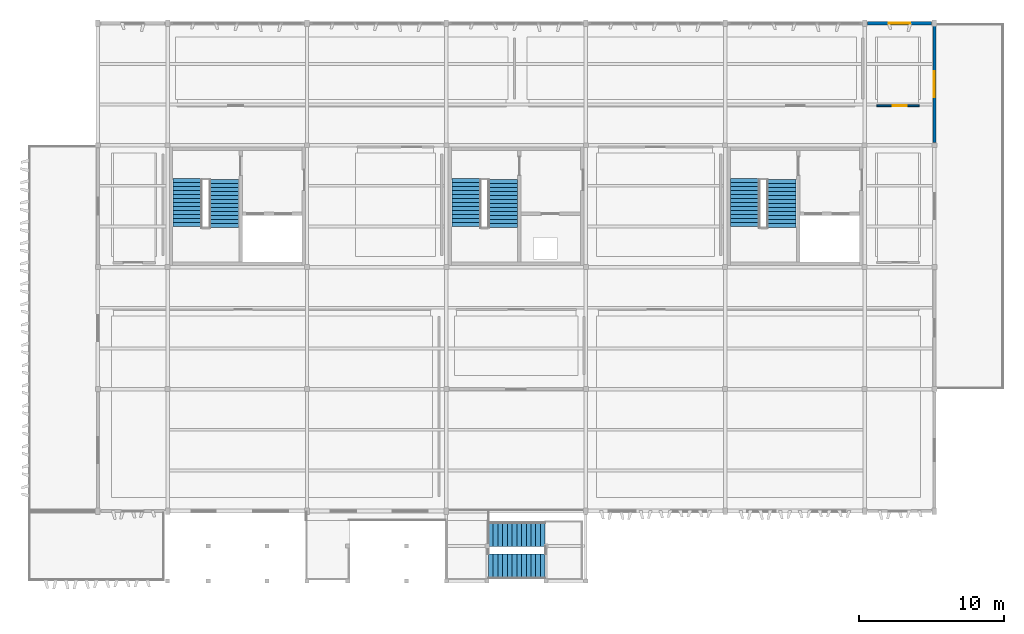
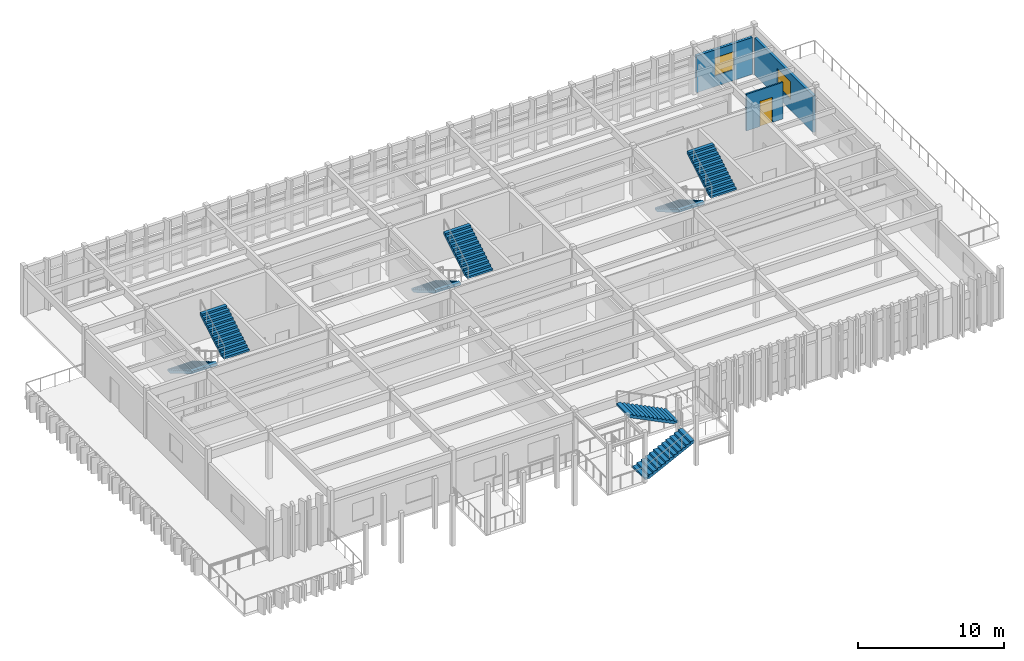
# One storey, part 10 of 14: 8 stair flights, 3 walls, 2 windows, 1 door, 3 openings, 4 elements without a shape of their own.
"""IFC4 building model written with IfcOpenShell, lengths in metres."""

from ifc_helpers import new_model, si_unit, direction, frame, frame_2d, origin, place, context, subcontext, project, spatial, polyline, rectangle, outline, extrude, material, layer, layer_set, type_object, element, fill, aggregate, save


model = new_model("IFC4")

# Units and contexts
model_context = context("Model", 3, precision=1e-05, world=origin(), true_north=direction((0.0, 1.0)))
body_context = subcontext(model_context, "Body", "Model", "MODEL_VIEW")
ifc_project = project(units=[si_unit("LENGTHUNIT", "METRE"), si_unit("AREAUNIT", "SQUARE_METRE"), si_unit("VOLUMEUNIT", "CUBIC_METRE"), si_unit("PLANEANGLEUNIT", "RADIAN"), si_unit("MASSUNIT", "GRAM", prefix="KILO")], contexts=[model_context])

# Site, building, storey
site_placement = place(None, origin())
site = spatial("IfcSite", under=ifc_project, at=site_placement, CompositionType="ELEMENT")
building_placement = place(site_placement, origin())
building = spatial("IfcBuilding", under=site, at=building_placement, Name="Kolvemor Railside Polytechnic", CompositionType="ELEMENT")
storey_placement = place(building_placement, frame((0.0, 0.0, 22.800048828125)))
storey = spatial("IfcBuildingStorey", under=building, at=storey_placement, Name="L05", CompositionType="ELEMENT", Elevation=22.800048828125)

# Wall, opening, window
ifc_material_1 = material(Name="Cross-laminated timber CLT E1", Category="wood")
ifc_layer_1 = layer(ifc_material_1, 0.2099609375, Name="WL-EXT-TM-210")
ifc_layer_set_1 = layer_set([ifc_layer_1], Name="Cross-laminated timber CLT E1")
wall_type_1 = type_object("IfcWallType", Name="WL-EXT-TM-210", PredefinedType="SOLIDWALL", material=ifc_layer_set_1)
wall_1_placement = place(storey_placement, frame((119.800048828125, 38.39990234375, 0.0), z_axis=(0.0, 0.0, 1.0), x_axis=(-1.0, 0.0, 0.0)))
wall_1 = element("IfcWall", 1, at=wall_1_placement, inside=storey, type_object=wall_type_1, Name="Exterior Wall L05-0160", PredefinedType="SOLIDWALL", context=body_context, shape_type="SweptSolid", body=[
    extrude(rectangle(XDim=4.400146484375, YDim=0.2099609375, at=frame_2d((2.2001953125, 0.0))), origin(), (0.0, 0.0, 1.0), 3.070068359375),
])
opening_1_placement = place(wall_1_placement, frame((1.449951171875, 0.0, 0.89990234375)))
opening_1 = element("IfcOpeningElement", 2, at=opening_1_placement, cuts=wall_1, Name="Opening WN-LAB4", PredefinedType="OPENING", context=body_context, shape_type="SweptSolid", body=[
    extrude(rectangle(XDim=1.5, YDim=1.5, at=frame_2d((0.75, 0.75))), frame((0.0, 0.114990234375, 0.0), z_axis=(0.0, -1.0, 0.0), x_axis=(1.0, 0.0, 0.0)), (0.0, 0.0, 1.0), 0.22998046875),
])
ifc_material_2 = material(Name="Hurricane-laminated thermally broken aluminium window", Category="aluminium")
window_type_1 = type_object("IfcWindowType", Name="WN-LAB-150x150", PartitioningType="SINGLE_PANEL", PredefinedType="WINDOW", material=ifc_material_2)
window_1_placement = place(opening_1_placement, origin())
window_1 = element("IfcWindow", 3, at=window_1_placement, inside=storey, type_object=window_type_1, Name="Window L05-0172", OverallHeight=1.5, OverallWidth=1.5, PartitioningType="SINGLE_PANEL", PredefinedType="WINDOW", context=body_context, shape_type="SweptSolid", body=[
    extrude(rectangle(XDim=1.5, YDim=1.5, at=frame_2d((0.75, 0.75))), frame((0.0, 0.030029296875, 0.0), z_axis=(0.0, -1.0, 0.0), x_axis=(1.0, 0.0, 0.0)), (0.0, 0.0, 1.0), 0.06005859375),
])
fill(opening_1, window_1)

wall_2_placement = place(storey_placement, frame((120.0, 30.199951171875, 0.0), z_axis=(0.0, 0.0, 1.0), x_axis=(0.0, 1.0, 0.0)))
wall_2 = element("IfcWall", 4, at=wall_2_placement, inside=storey, type_object=wall_type_1, Name="Exterior Wall L05-0181", PredefinedType="SOLIDWALL", context=body_context, shape_type="SweptSolid", body=[
    extrude(rectangle(XDim=8.0, YDim=0.2099609375, at=frame_2d((4.0, 0.0))), origin(), (0.0, 0.0, 1.0), 3.070068359375),
])
opening_2_placement = place(wall_2_placement, frame((3.10009765625, 0.0, 0.89990234375)))
opening_2 = element("IfcOpeningElement", 5, at=opening_2_placement, cuts=wall_2, Name="Opening WN-LAB", PredefinedType="OPENING", context=body_context, shape_type="SweptSolid", body=[
    extrude(rectangle(XDim=1.800048828125, YDim=1.5, at=frame_2d((0.89990234375, 0.75))), frame((0.0, 0.114990234375, 0.0), z_axis=(0.0, -1.0, 0.0), x_axis=(1.0, 0.0, 0.0)), (0.0, 0.0, 1.0), 0.22998046875),
])
ifc_material_3 = material(Name="Hurricane-laminated thermally broken aluminium window", Category="aluminium")
window_type_2 = type_object("IfcWindowType", Name="WN-LAB-180x150", PartitioningType="DOUBLE_PANEL_VERTICAL", PredefinedType="WINDOW", material=ifc_material_3)
window_2_placement = place(opening_2_placement, origin())
window_2 = element("IfcWindow", 6, at=window_2_placement, inside=storey, type_object=window_type_2, Name="Window L05-0182", OverallHeight=1.5, OverallWidth=1.800048828125, PartitioningType="SINGLE_PANEL", PredefinedType="WINDOW", context=body_context, shape_type="SweptSolid", body=[
    extrude(rectangle(XDim=1.800048828125, YDim=1.5, at=frame_2d((0.89990234375, 0.75))), frame((0.0, 0.030029296875, 0.0), z_axis=(0.0, -1.0, 0.0), x_axis=(1.0, 0.0, 0.0)), (0.0, 0.0, 1.0), 0.06005859375),
])
fill(opening_2, window_2)

# Wall, opening, door
ifc_material_4 = material(Name="Departmental partition")
ifc_layer_2 = layer(ifc_material_4, 0.1298828125, Name="WL-PART-130")
ifc_layer_set_2 = layer_set([ifc_layer_2], Name="Departmental partition")
wall_type_2 = type_object("IfcWallType", Name="WL-PART-130", PredefinedType="PARTITIONING", material=ifc_layer_set_2)
wall_3_placement = place(storey_placement, frame((116.050048828125, 32.719970703125, 0.0), z_axis=(0.0, 0.0, 1.0), x_axis=(1.0, 0.0, 0.0)))
wall_3 = element("IfcWall", 7, at=wall_3_placement, inside=storey, type_object=wall_type_2, Name="Partition Wall L05-0220", PredefinedType="PARTITIONING", context=body_context, shape_type="SweptSolid", body=[
    extrude(rectangle(XDim=2.89990234375, YDim=0.1298828125, at=frame_2d((1.449951171875, 0.0))), origin(), (0.0, 0.0, 1.0), 3.050048828125),
])
opening_3_placement = place(wall_3_placement, frame((1.072021484375, 0.0, 0.0)))
opening_3 = element("IfcOpeningElement", 8, at=opening_3_placement, cuts=wall_3, Name="Opening D-05125", PredefinedType="OPENING", context=body_context, shape_type="SweptSolid", body=[
    extrude(rectangle(XDim=0.97998046875, YDim=2.10009765625, at=frame_2d((0.489990234375, 1.050048828125))), frame((0.0, 0.074951171875, 0.0), z_axis=(0.0, -1.0, 0.0), x_axis=(1.0, 0.0, 0.0)), (0.0, 0.0, 1.0), 0.14990234375),
])
ifc_material_5 = material(Name="Solid hardwood acoustic door", Category="wood")
door_type = type_object("IfcDoorType", Name="DR-ADM-098x210", OperationType="NOTDEFINED", PredefinedType="DOOR", material=ifc_material_5)
door_placement = place(opening_3_placement, origin())
door = element("IfcDoor", 9, at=door_placement, inside=storey, type_object=door_type, Name="Room Door D-05125 (Graduate Research Fellows Write-Up Room)", OperationType="SINGLE_SWING_RIGHT", OverallHeight=2.10009765625, OverallWidth=0.97998046875, PredefinedType="DOOR", context=body_context, shape_type="SweptSolid", body=[
    extrude(rectangle(XDim=0.97998046875, YDim=2.10009765625, at=frame_2d((0.489990234375, 1.050048828125))), frame((0.0, 0.02490234375, 0.0), z_axis=(0.0, -1.0, 0.0), x_axis=(1.0, 0.0, 0.0)), (0.0, 0.0, 1.0), 0.050048828125),
])
fill(opening_3, door)

# Stair, stair flights
ifc_material_6 = material(Name="Concrete C40/50", Category="concrete")
stair_type_1 = type_object("IfcStairType", Name="STR-CORE-420", PredefinedType="HALF_TURN_STAIR", material=ifc_material_6)
stair_1_placement = place(storey_placement, origin())
stair_1 = element("IfcStair", 10, at=stair_1_placement, inside=storey, type_object=stair_type_1, Name="Core Stair ST-1 (L05 to L06)", PredefinedType="HALF_TURN_STAIR")
ifc_material_7 = material(Name="Concrete C40/50", Category="concrete")
stair_flight_type_1 = type_object("IfcStairFlightType", Name="SFL-RC-200", PredefinedType="STRAIGHT", material=ifc_material_7)
stair_flight_1_placement = place(storey_placement, frame((68.580078125, 27.699951171875, 0.0), z_axis=(0.0, 0.0, 1.0), x_axis=(0.0, -1.0, 0.0)))
stair_flight_1 = element("IfcStairFlight", 11, at=stair_flight_1_placement, type_object=stair_flight_type_1, Name="ST-1-L05 flight 1", NumberOfRisers=13, NumberOfTreads=12, PredefinedType="STRAIGHT", RiserHeight=0.161538462, TreadLength=0.275, context=body_context, shape_type="SweptSolid", body=[
    extrude(outline(polyline([(0.0, 0.0), (0.0, 0.16162109375), (0.27490234375, 0.16162109375), (0.27490234375, 0.322998046875), (0.550048828125, 0.322998046875), (0.550048828125, 0.484619140625), (0.824951171875, 0.484619140625), (0.824951171875, 0.646240234375), (1.10009765625, 0.646240234375), (1.10009765625, 0.8076171875), (1.375, 0.8076171875), (1.375, 0.96923828125), (1.64990234375, 0.96923828125), (1.64990234375, 1.130859375), (1.925048828125, 1.130859375), (1.925048828125, 1.292236328125), (2.199951171875, 1.292236328125), (2.199951171875, 1.453857421875), (2.47509765625, 1.453857421875), (2.47509765625, 1.615478515625), (2.75, 1.615478515625), (2.75, 1.77685546875), (3.02490234375, 1.77685546875), (3.02490234375, 1.9384765625), (3.300048828125, 1.9384765625), (3.300048828125, 2.10009765625), (3.300048828125, 1.729736328125), (0.355224609375, 0.0), (0.0, 0.0)])), frame((0.0, 1.0, 0.0), z_axis=(0.0, -1.0, 0.0), x_axis=(1.0, 0.0, 0.0)), (0.0, 0.0, 1.0), 2.0),
])
stair_flight_2_placement = place(storey_placement, frame((71.080078125, 24.340087890625, 2.099853515625), z_axis=(0.0, 0.0, 1.0), x_axis=(0.0, 1.0, 0.0)))
stair_flight_2 = element("IfcStairFlight", 12, at=stair_flight_2_placement, type_object=stair_flight_type_1, Name="ST-1-L05 flight 2", NumberOfRisers=13, NumberOfTreads=12, PredefinedType="STRAIGHT", RiserHeight=0.161538462, TreadLength=0.275, context=body_context, shape_type="SweptSolid", body=[
    extrude(outline(polyline([(0.0, 0.0), (0.0, 0.16162109375), (0.27490234375, 0.16162109375), (0.27490234375, 0.322998046875), (0.550048828125, 0.322998046875), (0.550048828125, 0.484619140625), (0.824951171875, 0.484619140625), (0.824951171875, 0.646240234375), (1.10009765625, 0.646240234375), (1.10009765625, 0.8076171875), (1.375, 0.8076171875), (1.375, 0.96923828125), (1.64990234375, 0.96923828125), (1.64990234375, 1.130859375), (1.925048828125, 1.130859375), (1.925048828125, 1.292236328125), (2.199951171875, 1.292236328125), (2.199951171875, 1.453857421875), (2.47509765625, 1.453857421875), (2.47509765625, 1.615478515625), (2.75, 1.615478515625), (2.75, 1.77685546875), (3.02490234375, 1.77685546875), (3.02490234375, 1.9384765625), (3.300048828125, 1.9384765625), (3.300048828125, 2.10009765625), (3.300048828125, 1.729736328125), (0.355224609375, 0.0), (0.0, 0.0)])), frame((0.0, 1.0, 0.0), z_axis=(0.0, -1.0, 0.0), x_axis=(1.0, 0.0, 0.0)), (0.0, 0.0, 1.0), 2.0),
])
aggregate(stair_1, [stair_flight_1, stair_flight_2])

stair_2_placement = place(storey_placement, origin())
stair_2 = element("IfcStair", 13, at=stair_2_placement, inside=storey, type_object=stair_type_1, Name="Core Stair ST-2 (L05 to L06)", PredefinedType="HALF_TURN_STAIR")
stair_flight_3_placement = place(storey_placement, frame((106.97998046875, 27.699951171875, 0.0), z_axis=(0.0, 0.0, 1.0), x_axis=(0.0, -1.0, 0.0)))
stair_flight_3 = element("IfcStairFlight", 14, at=stair_flight_3_placement, type_object=stair_flight_type_1, Name="ST-2-L05 flight 1", NumberOfRisers=13, NumberOfTreads=12, PredefinedType="STRAIGHT", RiserHeight=0.161538462, TreadLength=0.275, context=body_context, shape_type="SweptSolid", body=[
    extrude(outline(polyline([(0.0, 0.0), (0.0, 0.16162109375), (0.27490234375, 0.16162109375), (0.27490234375, 0.322998046875), (0.550048828125, 0.322998046875), (0.550048828125, 0.484619140625), (0.824951171875, 0.484619140625), (0.824951171875, 0.646240234375), (1.10009765625, 0.646240234375), (1.10009765625, 0.8076171875), (1.375, 0.8076171875), (1.375, 0.96923828125), (1.64990234375, 0.96923828125), (1.64990234375, 1.130859375), (1.925048828125, 1.130859375), (1.925048828125, 1.292236328125), (2.199951171875, 1.292236328125), (2.199951171875, 1.453857421875), (2.47509765625, 1.453857421875), (2.47509765625, 1.615478515625), (2.75, 1.615478515625), (2.75, 1.77685546875), (3.02490234375, 1.77685546875), (3.02490234375, 1.9384765625), (3.300048828125, 1.9384765625), (3.300048828125, 2.10009765625), (3.300048828125, 1.729736328125), (0.355224609375, 0.0), (0.0, 0.0)])), frame((0.0, 1.0, 0.0), z_axis=(0.0, -1.0, 0.0), x_axis=(1.0, 0.0, 0.0)), (0.0, 0.0, 1.0), 2.0),
])
stair_flight_4_placement = place(storey_placement, frame((109.47998046875, 24.340087890625, 2.099853515625), z_axis=(0.0, 0.0, 1.0), x_axis=(0.0, 1.0, 0.0)))
stair_flight_4 = element("IfcStairFlight", 15, at=stair_flight_4_placement, type_object=stair_flight_type_1, Name="ST-2-L05 flight 2", NumberOfRisers=13, NumberOfTreads=12, PredefinedType="STRAIGHT", RiserHeight=0.161538462, TreadLength=0.275, context=body_context, shape_type="SweptSolid", body=[
    extrude(outline(polyline([(0.0, 0.0), (0.0, 0.16162109375), (0.27490234375, 0.16162109375), (0.27490234375, 0.322998046875), (0.550048828125, 0.322998046875), (0.550048828125, 0.484619140625), (0.824951171875, 0.484619140625), (0.824951171875, 0.646240234375), (1.10009765625, 0.646240234375), (1.10009765625, 0.8076171875), (1.375, 0.8076171875), (1.375, 0.96923828125), (1.64990234375, 0.96923828125), (1.64990234375, 1.130859375), (1.925048828125, 1.130859375), (1.925048828125, 1.292236328125), (2.199951171875, 1.292236328125), (2.199951171875, 1.453857421875), (2.47509765625, 1.453857421875), (2.47509765625, 1.615478515625), (2.75, 1.615478515625), (2.75, 1.77685546875), (3.02490234375, 1.77685546875), (3.02490234375, 1.9384765625), (3.300048828125, 1.9384765625), (3.300048828125, 2.10009765625), (3.300048828125, 1.729736328125), (0.355224609375, 0.0), (0.0, 0.0)])), frame((0.0, 1.0, 0.0), z_axis=(0.0, -1.0, 0.0), x_axis=(1.0, 0.0, 0.0)), (0.0, 0.0, 1.0), 2.0),
])
aggregate(stair_2, [stair_flight_3, stair_flight_4])

stair_3_placement = place(storey_placement, origin())
stair_3 = element("IfcStair", 16, at=stair_3_placement, inside=storey, type_object=stair_type_1, Name="Core Stair ST-3 (L05 to L06)", PredefinedType="HALF_TURN_STAIR")
stair_flight_5_placement = place(storey_placement, frame((87.780029296875, 27.699951171875, 0.0), z_axis=(0.0, 0.0, 1.0), x_axis=(0.0, -1.0, 0.0)))
stair_flight_5 = element("IfcStairFlight", 17, at=stair_flight_5_placement, type_object=stair_flight_type_1, Name="ST-3-L05 flight 1", NumberOfRisers=13, NumberOfTreads=12, PredefinedType="STRAIGHT", RiserHeight=0.161538462, TreadLength=0.275, context=body_context, shape_type="SweptSolid", body=[
    extrude(outline(polyline([(0.0, 0.0), (0.0, 0.16162109375), (0.27490234375, 0.16162109375), (0.27490234375, 0.322998046875), (0.550048828125, 0.322998046875), (0.550048828125, 0.484619140625), (0.824951171875, 0.484619140625), (0.824951171875, 0.646240234375), (1.10009765625, 0.646240234375), (1.10009765625, 0.8076171875), (1.375, 0.8076171875), (1.375, 0.96923828125), (1.64990234375, 0.96923828125), (1.64990234375, 1.130859375), (1.925048828125, 1.130859375), (1.925048828125, 1.292236328125), (2.199951171875, 1.292236328125), (2.199951171875, 1.453857421875), (2.47509765625, 1.453857421875), (2.47509765625, 1.615478515625), (2.75, 1.615478515625), (2.75, 1.77685546875), (3.02490234375, 1.77685546875), (3.02490234375, 1.9384765625), (3.300048828125, 1.9384765625), (3.300048828125, 2.10009765625), (3.300048828125, 1.729736328125), (0.355224609375, 0.0), (0.0, 0.0)])), frame((0.0, 1.0, 0.0), z_axis=(0.0, -1.0, 0.0), x_axis=(1.0, 0.0, 0.0)), (0.0, 0.0, 1.0), 2.0),
])
stair_flight_6_placement = place(storey_placement, frame((90.280029296875, 24.340087890625, 2.099853515625), z_axis=(0.0, 0.0, 1.0), x_axis=(0.0, 1.0, 0.0)))
stair_flight_6 = element("IfcStairFlight", 18, at=stair_flight_6_placement, type_object=stair_flight_type_1, Name="ST-3-L05 flight 2", NumberOfRisers=13, NumberOfTreads=12, PredefinedType="STRAIGHT", RiserHeight=0.161538462, TreadLength=0.275, context=body_context, shape_type="SweptSolid", body=[
    extrude(outline(polyline([(0.0, 0.0), (0.0, 0.16162109375), (0.27490234375, 0.16162109375), (0.27490234375, 0.322998046875), (0.550048828125, 0.322998046875), (0.550048828125, 0.484619140625), (0.824951171875, 0.484619140625), (0.824951171875, 0.646240234375), (1.10009765625, 0.646240234375), (1.10009765625, 0.8076171875), (1.375, 0.8076171875), (1.375, 0.96923828125), (1.64990234375, 0.96923828125), (1.64990234375, 1.130859375), (1.925048828125, 1.130859375), (1.925048828125, 1.292236328125), (2.199951171875, 1.292236328125), (2.199951171875, 1.453857421875), (2.47509765625, 1.453857421875), (2.47509765625, 1.615478515625), (2.75, 1.615478515625), (2.75, 1.77685546875), (3.02490234375, 1.77685546875), (3.02490234375, 1.9384765625), (3.300048828125, 1.9384765625), (3.300048828125, 2.10009765625), (3.300048828125, 1.729736328125), (0.355224609375, 0.0), (0.0, 0.0)])), frame((0.0, 1.0, 0.0), z_axis=(0.0, -1.0, 0.0), x_axis=(1.0, 0.0, 0.0)), (0.0, 0.0, 1.0), 2.0),
])
aggregate(stair_3, [stair_flight_5, stair_flight_6])

ifc_material_8 = material(Name="Steel S355", Category="steel")
stair_type_2 = type_object("IfcStairType", Name="STR-EXT-ZIG", PredefinedType="HALF_TURN_STAIR", material=ifc_material_8)
stair_4_placement = place(storey_placement, origin())
stair_4 = element("IfcStair", 19, at=stair_4_placement, inside=storey, type_object=stair_type_2, Name="External Zigzag Terrace Stair (L05 to L06)", PredefinedType="HALF_TURN_STAIR")
ifc_material_9 = material(Name="Steel S355", Category="steel")
stair_flight_type_2 = type_object("IfcStairFlightType", Name="SFL-ST-168", PredefinedType="STRAIGHT", material=ifc_material_9)
stair_flight_7_placement = place(storey_placement, frame((89.300048828125, 1.0, 0.0), z_axis=(0.0, 0.0, 1.0), x_axis=(1.0, 0.0, 0.0)))
stair_flight_7 = element("IfcStairFlight", 20, at=stair_flight_7_placement, type_object=stair_flight_type_2, Name="ST-EXT-L05 flight 1", NumberOfRisers=13, NumberOfTreads=12, PredefinedType="STRAIGHT", RiserHeight=0.161538462, TreadLength=0.325, context=body_context, shape_type="SweptSolid", body=[
    extrude(outline(polyline([(0.0, 0.0), (0.0, 0.16162109375), (0.324951171875, 0.16162109375), (0.324951171875, 0.322998046875), (0.64990234375, 0.322998046875), (0.64990234375, 0.484619140625), (0.97509765625, 0.484619140625), (0.97509765625, 0.646240234375), (1.300048828125, 0.646240234375), (1.300048828125, 0.8076171875), (1.625, 0.8076171875), (1.625, 0.96923828125), (1.949951171875, 0.96923828125), (1.949951171875, 1.130859375), (2.27490234375, 1.130859375), (2.27490234375, 1.292236328125), (2.60009765625, 1.292236328125), (2.60009765625, 1.453857421875), (2.925048828125, 1.453857421875), (2.925048828125, 1.615478515625), (3.25, 1.615478515625), (3.25, 1.77685546875), (3.574951171875, 1.77685546875), (3.574951171875, 1.9384765625), (3.89990234375, 1.9384765625), (3.89990234375, 2.10009765625), (3.89990234375, 1.748779296875), (0.3818359375, 0.0), (0.0, 0.0)])), frame((0.0, 0.83984375, 0.0), z_axis=(0.0, -1.0, 0.0), x_axis=(1.0, 0.0, 0.0)), (0.0, 0.0, 1.0), 1.679931640625),
])
stair_flight_8_placement = place(storey_placement, frame((93.199951171875, 3.199951171875, 2.099853515625), z_axis=(0.0, 0.0, 1.0), x_axis=(-1.0, 0.0, 0.0)))
stair_flight_8 = element("IfcStairFlight", 21, at=stair_flight_8_placement, type_object=stair_flight_type_2, Name="ST-EXT-L05 flight 2", NumberOfRisers=13, NumberOfTreads=12, PredefinedType="STRAIGHT", RiserHeight=0.161538462, TreadLength=0.325, context=body_context, shape_type="SweptSolid", body=[
    extrude(outline(polyline([(0.0, 0.0), (0.0, 0.16162109375), (0.324951171875, 0.16162109375), (0.324951171875, 0.322998046875), (0.64990234375, 0.322998046875), (0.64990234375, 0.484619140625), (0.97509765625, 0.484619140625), (0.97509765625, 0.646240234375), (1.300048828125, 0.646240234375), (1.300048828125, 0.8076171875), (1.625, 0.8076171875), (1.625, 0.96923828125), (1.949951171875, 0.96923828125), (1.949951171875, 1.130859375), (2.27490234375, 1.130859375), (2.27490234375, 1.292236328125), (2.60009765625, 1.292236328125), (2.60009765625, 1.453857421875), (2.925048828125, 1.453857421875), (2.925048828125, 1.615478515625), (3.25, 1.615478515625), (3.25, 1.77685546875), (3.574951171875, 1.77685546875), (3.574951171875, 1.9384765625), (3.89990234375, 1.9384765625), (3.89990234375, 2.10009765625), (3.89990234375, 1.748779296875), (0.3818359375, 0.0), (0.0, 0.0)])), frame((0.0, 0.83984375, 0.0), z_axis=(0.0, -1.0, 0.0), x_axis=(1.0, 0.0, 0.0)), (0.0, 0.0, 1.0), 1.679931640625),
])
aggregate(stair_4, [stair_flight_7, stair_flight_8])

save(model, "model.ifc")
